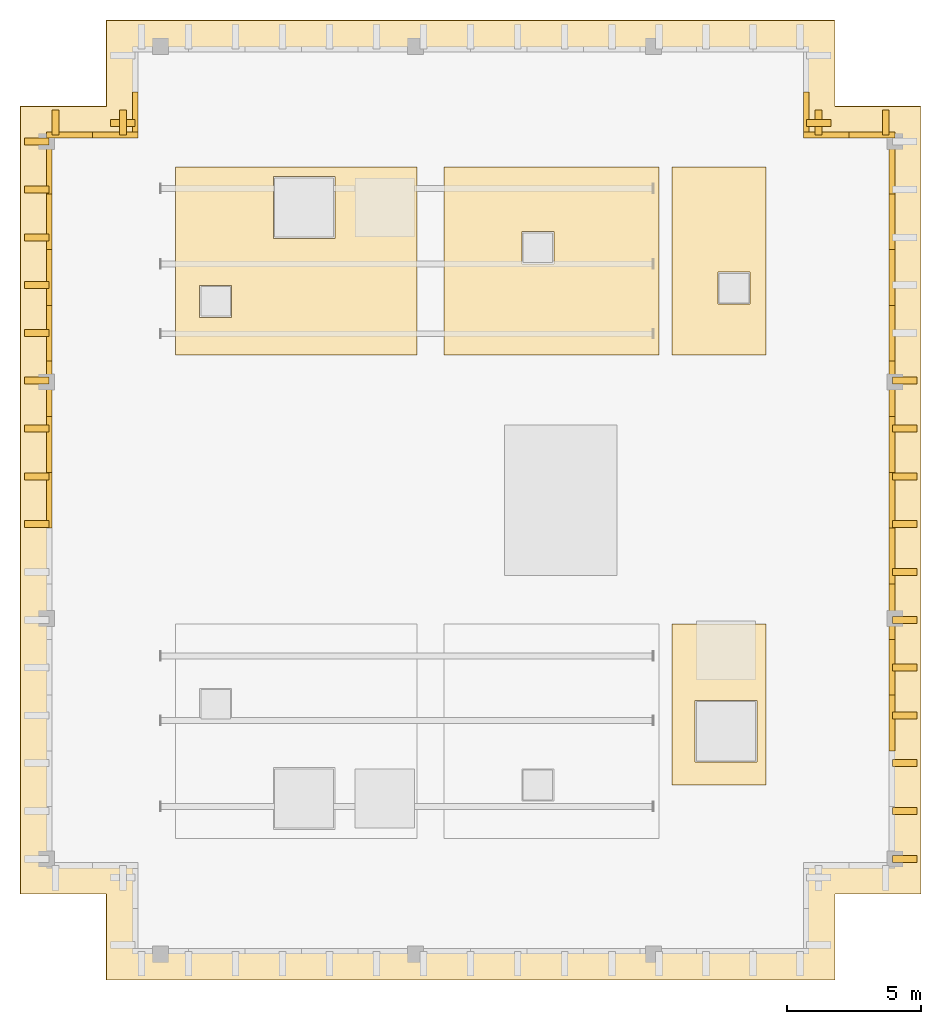
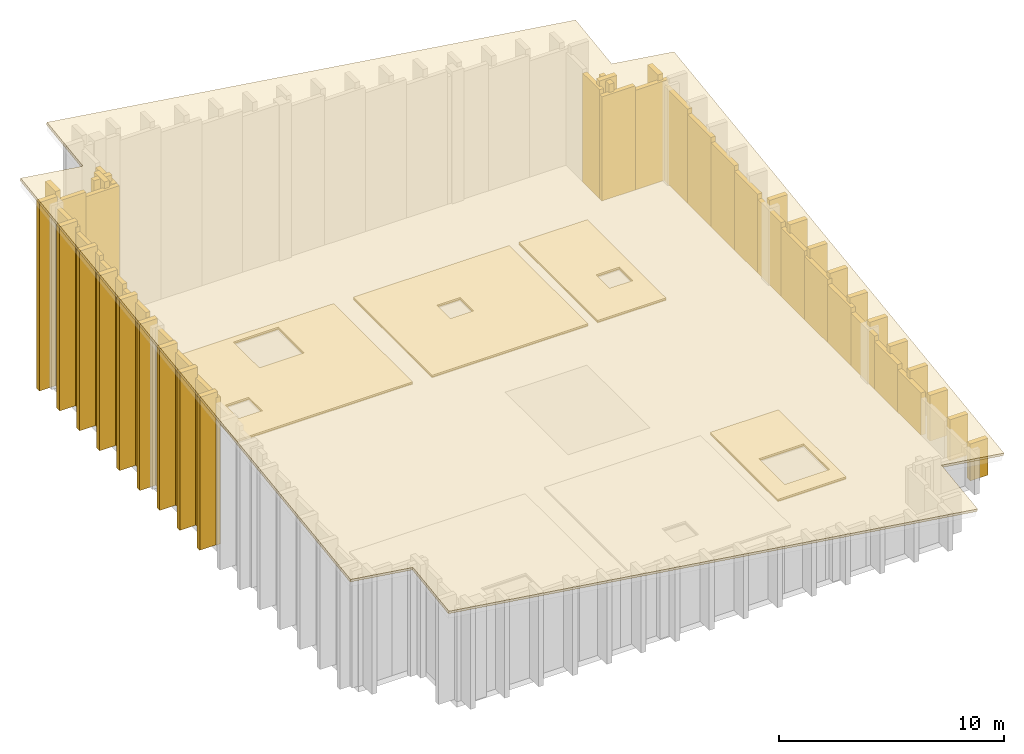
# One storey, part 4 of 5: 59 coverings.
"""IFC4 building model written with IfcOpenShell, lengths in metres."""

from ifc_helpers import new_model, si_unit, direction, frame, origin, place, context, subcontext, project, spatial, polyline, outline, extrude, material, layer, layer_set, type_object, element, save


model = new_model("IFC4")

# Units and contexts
model_context = context("Model", 3, precision=1e-05, world=origin(), true_north=direction((0.0, 1.0)))
body_context = subcontext(model_context, "Body", "Model", "MODEL_VIEW")
ifc_project = project(units=[si_unit("LENGTHUNIT", "METRE"), si_unit("AREAUNIT", "SQUARE_METRE"), si_unit("VOLUMEUNIT", "CUBIC_METRE"), si_unit("PLANEANGLEUNIT", "RADIAN"), si_unit("MASSUNIT", "GRAM", prefix="KILO")], contexts=[model_context])

# Site, building, storey
site_placement = place(None, origin())
site = spatial("IfcSite", under=ifc_project, at=site_placement, CompositionType="ELEMENT")
building_placement = place(site_placement, origin())
building = spatial("IfcBuilding", under=site, at=building_placement, Name="Kundavana Baori Tower", CompositionType="ELEMENT")
storey_placement = place(building_placement, frame((0.0, 0.0, 368.39990234375)))
storey = spatial("IfcBuildingStorey", under=building, at=storey_placement, Name="L89", CompositionType="ELEMENT", Elevation=368.39990234375)

# Coverings
ifc_material_1 = material(Name="Red-Buff Dholpur Sandstone Cladding on Concrete C40/50", Category="masonry")
ifc_layer_1 = layer(ifc_material_1, 0.050048828125, Name="COV-EXT-CLAD")
ifc_layer_set_1 = layer_set([ifc_layer_1], Name="Red-Buff Dholpur Sandstone Cladding on Concrete C40/50")
covering_type_1 = type_object("IfcCoveringType", Name="COV-EXT-CLAD", PredefinedType="CLADDING", material=ifc_layer_set_1)
covering_1_placement = place(storey_placement, origin())
element("IfcCovering", 1, at=covering_1_placement, inside=storey, type_object=covering_type_1, Name="L89 Sloped Sail Crown Stone Cladding Drum 04-03", PredefinedType="CLADDING", context=body_context, shape_type="SweptSolid", body=[
    extrude(outline(polyline([(42.580078125, 19.26806640625), (42.800048828125, 19.26806640625), (42.800048828125, 21.341064453125), (42.580078125, 21.341064453125), (42.580078125, 19.26806640625)])), origin(), (0.0, 0.0, 1.0), 2.2939453125),
])
covering_2_placement = place(storey_placement, origin())
element("IfcCovering", 2, at=covering_2_placement, inside=storey, type_object=covering_type_1, Name="L89 Sloped Sail Crown Stone Cladding Drum 04-04", PredefinedType="CLADDING", context=body_context, shape_type="SweptSolid", body=[
    extrude(outline(polyline([(42.580078125, 21.341064453125), (42.800048828125, 21.341064453125), (42.800048828125, 23.4150390625), (42.580078125, 23.4150390625), (42.580078125, 21.341064453125)])), origin(), (0.0, 0.0, 1.0), 2.576416015625),
])
covering_3_placement = place(storey_placement, origin())
element("IfcCovering", 3, at=covering_3_placement, inside=storey, type_object=covering_type_1, Name="L89 Sloped Sail Crown Stone Cladding Drum 04-05", PredefinedType="CLADDING", context=body_context, shape_type="SweptSolid", body=[
    extrude(outline(polyline([(42.580078125, 23.4150390625), (42.800048828125, 23.4150390625), (42.800048828125, 25.489013671875), (42.580078125, 25.489013671875), (42.580078125, 23.4150390625)])), origin(), (0.0, 0.0, 1.0), 2.8583984375),
])
covering_4_placement = place(storey_placement, origin())
element("IfcCovering", 4, at=covering_4_placement, inside=storey, type_object=covering_type_1, Name="L89 Sloped Sail Crown Stone Cladding Drum 04-06", PredefinedType="CLADDING", context=body_context, shape_type="SweptSolid", body=[
    extrude(outline(polyline([(42.580078125, 25.489013671875), (42.800048828125, 25.489013671875), (42.800048828125, 27.56298828125), (42.580078125, 27.56298828125), (42.580078125, 25.489013671875)])), origin(), (0.0, 0.0, 1.0), 3.140869140625),
])
covering_5_placement = place(storey_placement, origin())
element("IfcCovering", 5, at=covering_5_placement, inside=storey, type_object=covering_type_1, Name="L89 Sloped Sail Crown Stone Cladding Drum 04-07", PredefinedType="CLADDING", context=body_context, shape_type="SweptSolid", body=[
    extrude(outline(polyline([(42.580078125, 27.56298828125), (42.800048828125, 27.56298828125), (42.800048828125, 29.636962890625), (42.580078125, 29.636962890625), (42.580078125, 27.56298828125)])), origin(), (0.0, 0.0, 1.0), 3.423095703125),
])
covering_6_placement = place(storey_placement, origin())
element("IfcCovering", 6, at=covering_6_placement, inside=storey, type_object=covering_type_1, Name="L89 Sloped Sail Crown Stone Cladding Drum 04-08", PredefinedType="CLADDING", context=body_context, shape_type="SweptSolid", body=[
    extrude(outline(polyline([(42.580078125, 29.636962890625), (42.800048828125, 29.636962890625), (42.800048828125, 31.7109375), (42.580078125, 31.7109375), (42.580078125, 29.636962890625)])), origin(), (0.0, 0.0, 1.0), 3.705078125),
])
covering_7_placement = place(storey_placement, origin())
element("IfcCovering", 7, at=covering_7_placement, inside=storey, type_object=covering_type_1, Name="L89 Sloped Sail Crown Stone Cladding Drum 04-09", PredefinedType="CLADDING", context=body_context, shape_type="SweptSolid", body=[
    extrude(outline(polyline([(42.580078125, 31.7109375), (42.800048828125, 31.7109375), (42.800048828125, 33.784912109375), (42.580078125, 33.784912109375), (42.580078125, 31.7109375)])), origin(), (0.0, 0.0, 1.0), 3.987548828125),
])
covering_8_placement = place(storey_placement, origin())
element("IfcCovering", 8, at=covering_8_placement, inside=storey, type_object=covering_type_1, Name="L89 Sloped Sail Crown Stone Cladding Drum 04-10", PredefinedType="CLADDING", context=body_context, shape_type="SweptSolid", body=[
    extrude(outline(polyline([(42.580078125, 33.784912109375), (42.800048828125, 33.784912109375), (42.800048828125, 35.85791015625), (42.580078125, 35.85791015625), (42.580078125, 33.784912109375)])), origin(), (0.0, 0.0, 1.0), 4.269775390625),
])
covering_9_placement = place(storey_placement, origin())
element("IfcCovering", 9, at=covering_9_placement, inside=storey, type_object=covering_type_1, Name="L89 Sloped Sail Crown Stone Cladding Drum 04-11", PredefinedType="CLADDING", context=body_context, shape_type="SweptSolid", body=[
    extrude(outline(polyline([(42.580078125, 35.85791015625), (42.800048828125, 35.85791015625), (42.800048828125, 37.931884765625), (42.580078125, 37.931884765625), (42.580078125, 35.85791015625)])), origin(), (0.0, 0.0, 1.0), 4.552001953125),
])
covering_10_placement = place(storey_placement, origin())
element("IfcCovering", 10, at=covering_10_placement, inside=storey, type_object=covering_type_1, Name="L89 Sloped Sail Crown Stone Cladding Drum 04-12", PredefinedType="CLADDING", context=body_context, shape_type="SweptSolid", body=[
    extrude(outline(polyline([(42.580078125, 37.931884765625), (42.800048828125, 37.931884765625), (42.800048828125, 40.006103515625), (42.580078125, 40.006103515625), (42.580078125, 37.931884765625)])), origin(), (0.0, 0.0, 1.0), 4.834228515625),
])
covering_11_placement = place(storey_placement, origin())
element("IfcCovering", 11, at=covering_11_placement, inside=storey, type_object=covering_type_1, Name="L89 Sloped Sail Crown Stone Cladding Drum 04-13", PredefinedType="CLADDING", context=body_context, shape_type="SweptSolid", body=[
    extrude(outline(polyline([(42.580078125, 40.006103515625), (42.800048828125, 40.006103515625), (42.800048828125, 42.080078125), (42.580078125, 42.080078125), (42.580078125, 40.006103515625)])), origin(), (0.0, 0.0, 1.0), 5.116455078125),
])
covering_12_placement = place(storey_placement, origin())
element("IfcCovering", 12, at=covering_12_placement, inside=storey, type_object=covering_type_1, Name="L89 Sloped Sail Crown Stone Cladding Drum 05-01", PredefinedType="CLADDING", context=body_context, shape_type="SweptSolid", body=[
    extrude(outline(polyline([(41.090087890625, 42.080078125), (42.800048828125, 42.080078125), (42.800048828125, 42.300048828125), (41.090087890625, 42.300048828125), (41.090087890625, 42.080078125)])), origin(), (0.0, 0.0, 1.0), 5.397705078125),
])
covering_13_placement = place(storey_placement, origin())
element("IfcCovering", 13, at=covering_13_placement, inside=storey, type_object=covering_type_1, Name="L89 Sloped Sail Crown Stone Cladding Drum 05-02", PredefinedType="CLADDING", context=body_context, shape_type="SweptSolid", body=[
    extrude(outline(polyline([(39.3798828125, 42.080078125), (41.090087890625, 42.080078125), (41.090087890625, 42.300048828125), (39.3798828125, 42.300048828125), (39.3798828125, 42.080078125)])), origin(), (0.0, 0.0, 1.0), 5.646484375),
])
covering_14_placement = place(storey_placement, origin())
element("IfcCovering", 14, at=covering_14_placement, inside=storey, type_object=covering_type_1, Name="L89 Sloped Sail Crown Stone Cladding Drum 06-01", PredefinedType="CLADDING", context=body_context, shape_type="SweptSolid", body=[
    extrude(outline(polyline([(39.3798828125, 42.300048828125), (39.60009765625, 42.300048828125), (39.60009765625, 43.7900390625), (39.3798828125, 43.7900390625), (39.3798828125, 42.300048828125)])), origin(), (0.0, 0.0, 1.0), 5.894287109375),
])
covering_15_placement = place(storey_placement, origin())
element("IfcCovering", 15, at=covering_15_placement, inside=storey, type_object=covering_type_1, Name="L89 Sloped Sail Crown Stone Cladding Drum 08-02", PredefinedType="CLADDING", context=body_context, shape_type="SweptSolid", body=[
    extrude(outline(polyline([(14.39990234375, 42.300048828125), (14.6201171875, 42.300048828125), (14.6201171875, 43.7900390625), (14.39990234375, 43.7900390625), (14.39990234375, 42.300048828125)])), origin(), (0.0, 0.0, 1.0), 9.53076171875),
])
covering_16_placement = place(storey_placement, origin())
element("IfcCovering", 16, at=covering_16_placement, inside=storey, type_object=covering_type_1, Name="L89 Sloped Sail Crown Stone Cladding Drum 09-01", PredefinedType="CLADDING", context=body_context, shape_type="SweptSolid", body=[
    extrude(outline(polyline([(12.909912109375, 42.080078125), (14.6201171875, 42.080078125), (14.6201171875, 42.300048828125), (12.909912109375, 42.300048828125), (12.909912109375, 42.080078125)])), origin(), (0.0, 0.0, 1.0), 9.499755859375),
])
covering_17_placement = place(storey_placement, origin())
element("IfcCovering", 17, at=covering_17_placement, inside=storey, type_object=covering_type_1, Name="L89 Sloped Sail Crown Stone Cladding Drum 09-02", PredefinedType="CLADDING", context=body_context, shape_type="SweptSolid", body=[
    extrude(outline(polyline([(11.199951171875, 42.080078125), (12.909912109375, 42.080078125), (12.909912109375, 42.300048828125), (11.199951171875, 42.300048828125), (11.199951171875, 42.080078125)])), origin(), (0.0, 0.0, 1.0), 9.748779296875),
])
covering_18_placement = place(storey_placement, origin())
element("IfcCovering", 18, at=covering_18_placement, inside=storey, type_object=covering_type_1, Name="L89 Sloped Sail Crown Stone Cladding Drum 10-01", PredefinedType="CLADDING", context=body_context, shape_type="SweptSolid", body=[
    extrude(outline(polyline([(11.199951171875, 40.006103515625), (11.419921875, 40.006103515625), (11.419921875, 42.080078125), (11.199951171875, 42.080078125), (11.199951171875, 40.006103515625)])), origin(), (0.0, 0.0, 1.0), 9.684326171875),
])
covering_19_placement = place(storey_placement, origin())
element("IfcCovering", 19, at=covering_19_placement, inside=storey, type_object=covering_type_1, Name="L89 Sloped Sail Crown Stone Cladding Drum 10-02", PredefinedType="CLADDING", context=body_context, shape_type="SweptSolid", body=[
    extrude(outline(polyline([(11.199951171875, 37.931884765625), (11.419921875, 37.931884765625), (11.419921875, 40.006103515625), (11.199951171875, 40.006103515625), (11.199951171875, 37.931884765625)])), origin(), (0.0, 0.0, 1.0), 9.402099609375),
])
covering_20_placement = place(storey_placement, origin())
element("IfcCovering", 20, at=covering_20_placement, inside=storey, type_object=covering_type_1, Name="L89 Sloped Sail Crown Stone Cladding Drum 10-03", PredefinedType="CLADDING", context=body_context, shape_type="SweptSolid", body=[
    extrude(outline(polyline([(11.199951171875, 35.85791015625), (11.419921875, 35.85791015625), (11.419921875, 37.931884765625), (11.199951171875, 37.931884765625), (11.199951171875, 35.85791015625)])), origin(), (0.0, 0.0, 1.0), 9.119873046875),
])
covering_21_placement = place(storey_placement, origin())
element("IfcCovering", 21, at=covering_21_placement, inside=storey, type_object=covering_type_1, Name="L89 Sloped Sail Crown Stone Cladding Drum 10-04", PredefinedType="CLADDING", context=body_context, shape_type="SweptSolid", body=[
    extrude(outline(polyline([(11.199951171875, 33.784912109375), (11.419921875, 33.784912109375), (11.419921875, 35.85791015625), (11.199951171875, 35.85791015625), (11.199951171875, 33.784912109375)])), origin(), (0.0, 0.0, 1.0), 8.837646484375),
])
covering_22_placement = place(storey_placement, origin())
element("IfcCovering", 22, at=covering_22_placement, inside=storey, type_object=covering_type_1, Name="L89 Sloped Sail Crown Stone Cladding Drum 10-05", PredefinedType="CLADDING", context=body_context, shape_type="SweptSolid", body=[
    extrude(outline(polyline([(11.199951171875, 31.7109375), (11.419921875, 31.7109375), (11.419921875, 33.784912109375), (11.199951171875, 33.784912109375), (11.199951171875, 31.7109375)])), origin(), (0.0, 0.0, 1.0), 8.555419921875),
])
covering_23_placement = place(storey_placement, origin())
element("IfcCovering", 23, at=covering_23_placement, inside=storey, type_object=covering_type_1, Name="L89 Sloped Sail Crown Stone Cladding Drum 10-06", PredefinedType="CLADDING", context=body_context, shape_type="SweptSolid", body=[
    extrude(outline(polyline([(11.199951171875, 29.636962890625), (11.419921875, 29.636962890625), (11.419921875, 31.7109375), (11.199951171875, 31.7109375), (11.199951171875, 29.636962890625)])), origin(), (0.0, 0.0, 1.0), 8.273193359375),
])
covering_24_placement = place(storey_placement, origin())
element("IfcCovering", 24, at=covering_24_placement, inside=storey, type_object=covering_type_1, Name="L89 Sloped Sail Crown Stone Cladding Drum 10-07", PredefinedType="CLADDING", context=body_context, shape_type="SweptSolid", body=[
    extrude(outline(polyline([(11.199951171875, 27.56298828125), (11.419921875, 27.56298828125), (11.419921875, 29.636962890625), (11.199951171875, 29.636962890625), (11.199951171875, 27.56298828125)])), origin(), (0.0, 0.0, 1.0), 7.990966796875),
])
ifc_material_2 = material(Name="Elastomeric APP Waterproofing Roofing Membrane")
ifc_layer_2 = layer(ifc_material_2, 0.044921875, Name="COV-ROOF-MEMB")
ifc_layer_set_2 = layer_set([ifc_layer_2], Name="Elastomeric APP Waterproofing Roofing Membrane")
covering_type_2 = type_object("IfcCoveringType", Name="COV-ROOF-MEMB", PredefinedType="ROOFING", material=ifc_layer_set_2)
covering_25_placement = place(storey_placement, origin())
element("IfcCovering", 25, at=covering_25_placement, inside=storey, type_object=covering_type_2, Name="L89 Crown Roof Waterproofing Membrane 2", PredefinedType="ROOFING", context=body_context, shape_type="SweptSolid", body=[
    extrude(outline(polyline([(16.0, 34.0), (25.0, 34.0), (25.0, 41.0), (16.0, 41.0), (16.0, 34.0)]), holes=[polyline([(19.64990234375, 38.35009765625), (21.949951171875, 38.35009765625), (21.949951171875, 40.64990234375), (19.64990234375, 40.64990234375), (19.64990234375, 38.35009765625)]), polyline([(16.89990234375, 35.39990234375), (18.10009765625, 35.39990234375), (18.10009765625, 36.60009765625), (16.89990234375, 36.60009765625), (16.89990234375, 35.39990234375)])]), origin(), (0.0, 0.0, 1.0), 0.045166015625),
])
covering_26_placement = place(storey_placement, origin())
element("IfcCovering", 26, at=covering_26_placement, inside=storey, type_object=covering_type_2, Name="L89 Crown Roof Waterproofing Membrane 4", PredefinedType="ROOFING", context=body_context, shape_type="SweptSolid", body=[
    extrude(outline(polyline([(26.0, 34.0), (34.0, 34.0), (34.0, 41.0), (26.0, 41.0), (26.0, 34.0)]), holes=[polyline([(28.89990234375, 37.39990234375), (30.10009765625, 37.39990234375), (30.10009765625, 38.60009765625), (28.89990234375, 38.60009765625), (28.89990234375, 37.39990234375)])]), origin(), (0.0, 0.0, 1.0), 0.045166015625),
])
covering_27_placement = place(storey_placement, origin())
element("IfcCovering", 27, at=covering_27_placement, inside=storey, type_object=covering_type_2, Name="L89 Crown Roof Waterproofing Membrane 5", PredefinedType="ROOFING", context=body_context, shape_type="SweptSolid", body=[
    extrude(outline(polyline([(34.5, 18.0), (38.0, 18.0), (38.0, 24.0), (34.5, 24.0), (34.5, 18.0)]), holes=[polyline([(35.35009765625, 18.85009765625), (37.64990234375, 18.85009765625), (37.64990234375, 21.14990234375), (35.35009765625, 21.14990234375), (35.35009765625, 18.85009765625)])]), origin(), (0.0, 0.0, 1.0), 0.045166015625),
])
covering_28_placement = place(storey_placement, origin())
element("IfcCovering", 28, at=covering_28_placement, inside=storey, type_object=covering_type_2, Name="L89 Crown Roof Waterproofing Membrane 6", PredefinedType="ROOFING", context=body_context, shape_type="SweptSolid", body=[
    extrude(outline(polyline([(34.5, 34.0), (38.0, 34.0), (38.0, 41.0), (34.5, 41.0), (34.5, 34.0)]), holes=[polyline([(36.199951171875, 35.89990234375), (37.39990234375, 35.89990234375), (37.39990234375, 37.10009765625), (36.199951171875, 37.10009765625), (36.199951171875, 35.89990234375)])]), origin(), (0.0, 0.0, 1.0), 0.045166015625),
])
ifc_material_3 = material(Name="Cream-White Makrana Limestone on Concrete C40/50", Category="masonry")
ifc_layer_3 = layer(ifc_material_3, 0.239990234375, Name="COV-SAIL-FIN")
ifc_layer_set_3 = layer_set([ifc_layer_3], Name="Cream-White Makrana Limestone on Concrete C40/50")
covering_type_3 = type_object("IfcCoveringType", Name="COV-SAIL-FIN", PredefinedType="CLADDING", material=ifc_layer_set_3)
covering_29_placement = place(storey_placement, origin())
element("IfcCovering", 29, at=covering_29_placement, inside=storey, type_object=covering_type_3, Name="L89 Climbing Makrana White Limestone Sail Fin 020", PredefinedType="CLADDING", context=body_context, shape_type="SweptSolid", body=[
    extrude(outline(polyline([(42.699951171875, 15.1201171875), (43.6201171875, 15.1201171875), (43.6201171875, 15.3798828125), (42.699951171875, 15.3798828125), (42.699951171875, 15.1201171875)])), origin(), (0.0, 0.0, 1.0), 1.9931640625),
])
covering_30_placement = place(storey_placement, origin())
element("IfcCovering", 30, at=covering_30_placement, inside=storey, type_object=covering_type_3, Name="L89 Climbing Makrana White Limestone Sail Fin 021", PredefinedType="CLADDING", context=body_context, shape_type="SweptSolid", body=[
    extrude(outline(polyline([(42.699951171875, 16.89990234375), (43.6201171875, 16.89990234375), (43.6201171875, 17.159912109375), (42.699951171875, 17.159912109375), (42.699951171875, 16.89990234375)])), origin(), (0.0, 0.0, 1.0), 2.235595703125),
])
covering_31_placement = place(storey_placement, origin())
element("IfcCovering", 31, at=covering_31_placement, inside=storey, type_object=covering_type_3, Name="L89 Climbing Makrana White Limestone Sail Fin 022", PredefinedType="CLADDING", context=body_context, shape_type="SweptSolid", body=[
    extrude(outline(polyline([(42.699951171875, 18.679931640625), (43.6201171875, 18.679931640625), (43.6201171875, 18.93994140625), (42.699951171875, 18.93994140625), (42.699951171875, 18.679931640625)])), origin(), (0.0, 0.0, 1.0), 2.477783203125),
])
covering_32_placement = place(storey_placement, origin())
element("IfcCovering", 32, at=covering_32_placement, inside=storey, type_object=covering_type_3, Name="L89 Climbing Makrana White Limestone Sail Fin 023", PredefinedType="CLADDING", context=body_context, shape_type="SweptSolid", body=[
    extrude(outline(polyline([(42.699951171875, 20.4599609375), (43.6201171875, 20.4599609375), (43.6201171875, 20.719970703125), (42.699951171875, 20.719970703125), (42.699951171875, 20.4599609375)])), origin(), (0.0, 0.0, 1.0), 2.719970703125),
])
covering_33_placement = place(storey_placement, origin())
element("IfcCovering", 33, at=covering_33_placement, inside=storey, type_object=covering_type_3, Name="L89 Climbing Makrana White Limestone Sail Fin 024", PredefinedType="CLADDING", context=body_context, shape_type="SweptSolid", body=[
    extrude(outline(polyline([(42.699951171875, 22.239990234375), (43.6201171875, 22.239990234375), (43.6201171875, 22.5), (42.699951171875, 22.5), (42.699951171875, 22.239990234375)])), origin(), (0.0, 0.0, 1.0), 2.962158203125),
])
covering_34_placement = place(storey_placement, origin())
element("IfcCovering", 34, at=covering_34_placement, inside=storey, type_object=covering_type_3, Name="L89 Climbing Makrana White Limestone Sail Fin 025", PredefinedType="CLADDING", context=body_context, shape_type="SweptSolid", body=[
    extrude(outline(polyline([(42.699951171875, 24.02001953125), (43.6201171875, 24.02001953125), (43.6201171875, 24.280029296875), (42.699951171875, 24.280029296875), (42.699951171875, 24.02001953125)])), origin(), (0.0, 0.0, 1.0), 3.20458984375),
])
covering_35_placement = place(storey_placement, origin())
element("IfcCovering", 35, at=covering_35_placement, inside=storey, type_object=covering_type_3, Name="L89 Climbing Makrana White Limestone Sail Fin 026", PredefinedType="CLADDING", context=body_context, shape_type="SweptSolid", body=[
    extrude(outline(polyline([(42.699951171875, 25.800048828125), (43.6201171875, 25.800048828125), (43.6201171875, 26.06005859375), (42.699951171875, 26.06005859375), (42.699951171875, 25.800048828125)])), origin(), (0.0, 0.0, 1.0), 3.44677734375),
])
covering_36_placement = place(storey_placement, origin())
element("IfcCovering", 36, at=covering_36_placement, inside=storey, type_object=covering_type_3, Name="L89 Climbing Makrana White Limestone Sail Fin 027", PredefinedType="CLADDING", context=body_context, shape_type="SweptSolid", body=[
    extrude(outline(polyline([(42.699951171875, 27.580078125), (43.6201171875, 27.580078125), (43.6201171875, 27.840087890625), (42.699951171875, 27.840087890625), (42.699951171875, 27.580078125)])), origin(), (0.0, 0.0, 1.0), 3.68896484375),
])
covering_37_placement = place(storey_placement, origin())
element("IfcCovering", 37, at=covering_37_placement, inside=storey, type_object=covering_type_3, Name="L89 Climbing Makrana White Limestone Sail Fin 028", PredefinedType="CLADDING", context=body_context, shape_type="SweptSolid", body=[
    extrude(outline(polyline([(42.699951171875, 29.360107421875), (43.6201171875, 29.360107421875), (43.6201171875, 29.6201171875), (42.699951171875, 29.6201171875), (42.699951171875, 29.360107421875)])), origin(), (0.0, 0.0, 1.0), 3.93115234375),
])
covering_38_placement = place(storey_placement, origin())
element("IfcCovering", 38, at=covering_38_placement, inside=storey, type_object=covering_type_3, Name="L89 Climbing Makrana White Limestone Sail Fin 029", PredefinedType="CLADDING", context=body_context, shape_type="SweptSolid", body=[
    extrude(outline(polyline([(42.699951171875, 31.139892578125), (43.6201171875, 31.139892578125), (43.6201171875, 31.39990234375), (42.699951171875, 31.39990234375), (42.699951171875, 31.139892578125)])), origin(), (0.0, 0.0, 1.0), 4.173583984375),
])
covering_39_placement = place(storey_placement, origin())
element("IfcCovering", 39, at=covering_39_placement, inside=storey, type_object=covering_type_3, Name="L89 Climbing Makrana White Limestone Sail Fin 030", PredefinedType="CLADDING", context=body_context, shape_type="SweptSolid", body=[
    extrude(outline(polyline([(42.699951171875, 32.919921875), (43.6201171875, 32.919921875), (43.6201171875, 33.179931640625), (42.699951171875, 33.179931640625), (42.699951171875, 32.919921875)])), origin(), (0.0, 0.0, 1.0), 4.415771484375),
])
covering_40_placement = place(storey_placement, origin())
element("IfcCovering", 40, at=covering_40_placement, inside=storey, type_object=covering_type_3, Name="L89 Climbing Makrana White Limestone Sail Fin 036", PredefinedType="CLADDING", context=body_context, shape_type="SweptSolid", body=[
    extrude(outline(polyline([(42.320068359375, 42.199951171875), (42.580078125, 42.199951171875), (42.580078125, 43.1201171875), (42.320068359375, 43.1201171875), (42.320068359375, 42.199951171875)])), origin(), (0.0, 0.0, 1.0), 5.7255859375),
])
covering_41_placement = place(storey_placement, origin())
element("IfcCovering", 41, at=covering_41_placement, inside=storey, type_object=covering_type_3, Name="L89 Climbing Makrana White Limestone Sail Fin 037", PredefinedType="CLADDING", context=body_context, shape_type="SweptSolid", body=[
    extrude(outline(polyline([(39.820068359375, 42.199951171875), (40.080078125, 42.199951171875), (40.080078125, 43.1201171875), (39.820068359375, 43.1201171875), (39.820068359375, 42.199951171875)])), origin(), (0.0, 0.0, 1.0), 6.089599609375),
])
covering_42_placement = place(storey_placement, origin())
element("IfcCovering", 42, at=covering_42_placement, inside=storey, type_object=covering_type_3, Name="L89 Climbing Makrana White Limestone Sail Fin 038", PredefinedType="CLADDING", context=body_context, shape_type="SweptSolid", body=[
    extrude(outline(polyline([(39.5, 42.52001953125), (40.419921875, 42.52001953125), (40.419921875, 42.780029296875), (39.5, 42.780029296875), (39.5, 42.52001953125)])), origin(), (0.0, 0.0, 1.0), 6.18798828125),
])
covering_43_placement = place(storey_placement, origin())
element("IfcCovering", 43, at=covering_43_placement, inside=storey, type_object=covering_type_3, Name="L89 Climbing Makrana White Limestone Sail Fin 056", PredefinedType="CLADDING", context=body_context, shape_type="SweptSolid", body=[
    extrude(outline(polyline([(13.580078125, 42.52001953125), (14.5, 42.52001953125), (14.5, 42.780029296875), (13.580078125, 42.780029296875), (13.580078125, 42.52001953125)])), origin(), (0.0, 0.0, 1.0), 9.8564453125),
])
covering_44_placement = place(storey_placement, origin())
element("IfcCovering", 44, at=covering_44_placement, inside=storey, type_object=covering_type_3, Name="L89 Climbing Makrana White Limestone Sail Fin 057", PredefinedType="CLADDING", context=body_context, shape_type="SweptSolid", body=[
    extrude(outline(polyline([(13.919921875, 42.199951171875), (14.179931640625, 42.199951171875), (14.179931640625, 43.1201171875), (13.919921875, 43.1201171875), (13.919921875, 42.199951171875)])), origin(), (0.0, 0.0, 1.0), 9.859619140625),
])
covering_45_placement = place(storey_placement, origin())
element("IfcCovering", 45, at=covering_45_placement, inside=storey, type_object=covering_type_3, Name="L89 Climbing Makrana White Limestone Sail Fin 058", PredefinedType="CLADDING", context=body_context, shape_type="SweptSolid", body=[
    extrude(outline(polyline([(11.419921875, 42.199951171875), (11.679931640625, 42.199951171875), (11.679931640625, 43.1201171875), (11.419921875, 43.1201171875), (11.419921875, 42.199951171875)])), origin(), (0.0, 0.0, 1.0), 10.2236328125),
])
covering_46_placement = place(storey_placement, origin())
element("IfcCovering", 46, at=covering_46_placement, inside=storey, type_object=covering_type_3, Name="L89 Climbing Makrana White Limestone Sail Fin 059", PredefinedType="CLADDING", context=body_context, shape_type="SweptSolid", body=[
    extrude(outline(polyline([(10.3798828125, 41.820068359375), (11.300048828125, 41.820068359375), (11.300048828125, 42.080078125), (10.3798828125, 42.080078125), (10.3798828125, 41.820068359375)])), origin(), (0.0, 0.0, 1.0), 10.22705078125),
])
covering_47_placement = place(storey_placement, origin())
element("IfcCovering", 47, at=covering_47_placement, inside=storey, type_object=covering_type_3, Name="L89 Climbing Makrana White Limestone Sail Fin 060", PredefinedType="CLADDING", context=body_context, shape_type="SweptSolid", body=[
    extrude(outline(polyline([(10.3798828125, 40.0400390625), (11.300048828125, 40.0400390625), (11.300048828125, 40.300048828125), (10.3798828125, 40.300048828125), (10.3798828125, 40.0400390625)])), origin(), (0.0, 0.0, 1.0), 9.984619140625),
])
covering_48_placement = place(storey_placement, origin())
element("IfcCovering", 48, at=covering_48_placement, inside=storey, type_object=covering_type_3, Name="L89 Climbing Makrana White Limestone Sail Fin 061", PredefinedType="CLADDING", context=body_context, shape_type="SweptSolid", body=[
    extrude(outline(polyline([(10.3798828125, 38.260009765625), (11.300048828125, 38.260009765625), (11.300048828125, 38.52001953125), (10.3798828125, 38.52001953125), (10.3798828125, 38.260009765625)])), origin(), (0.0, 0.0, 1.0), 9.742431640625),
])
covering_49_placement = place(storey_placement, origin())
element("IfcCovering", 49, at=covering_49_placement, inside=storey, type_object=covering_type_3, Name="L89 Climbing Makrana White Limestone Sail Fin 062", PredefinedType="CLADDING", context=body_context, shape_type="SweptSolid", body=[
    extrude(outline(polyline([(10.3798828125, 36.47998046875), (11.300048828125, 36.47998046875), (11.300048828125, 36.739990234375), (10.3798828125, 36.739990234375), (10.3798828125, 36.47998046875)])), origin(), (0.0, 0.0, 1.0), 9.500244140625),
])
covering_50_placement = place(storey_placement, origin())
element("IfcCovering", 50, at=covering_50_placement, inside=storey, type_object=covering_type_3, Name="L89 Climbing Makrana White Limestone Sail Fin 063", PredefinedType="CLADDING", context=body_context, shape_type="SweptSolid", body=[
    extrude(outline(polyline([(10.3798828125, 34.699951171875), (11.300048828125, 34.699951171875), (11.300048828125, 34.9599609375), (10.3798828125, 34.9599609375), (10.3798828125, 34.699951171875)])), origin(), (0.0, 0.0, 1.0), 9.258056640625),
])
covering_51_placement = place(storey_placement, origin())
element("IfcCovering", 51, at=covering_51_placement, inside=storey, type_object=covering_type_3, Name="L89 Climbing Makrana White Limestone Sail Fin 064", PredefinedType="CLADDING", context=body_context, shape_type="SweptSolid", body=[
    extrude(outline(polyline([(10.3798828125, 32.919921875), (11.300048828125, 32.919921875), (11.300048828125, 33.179931640625), (10.3798828125, 33.179931640625), (10.3798828125, 32.919921875)])), origin(), (0.0, 0.0, 1.0), 9.015625),
])
covering_52_placement = place(storey_placement, origin())
element("IfcCovering", 52, at=covering_52_placement, inside=storey, type_object=covering_type_3, Name="L89 Climbing Makrana White Limestone Sail Fin 065", PredefinedType="CLADDING", context=body_context, shape_type="SweptSolid", body=[
    extrude(outline(polyline([(10.3798828125, 31.139892578125), (11.300048828125, 31.139892578125), (11.300048828125, 31.39990234375), (10.3798828125, 31.39990234375), (10.3798828125, 31.139892578125)])), origin(), (0.0, 0.0, 1.0), 8.7734375),
])
covering_53_placement = place(storey_placement, origin())
element("IfcCovering", 53, at=covering_53_placement, inside=storey, type_object=covering_type_3, Name="L89 Climbing Makrana White Limestone Sail Fin 066", PredefinedType="CLADDING", context=body_context, shape_type="SweptSolid", body=[
    extrude(outline(polyline([(10.3798828125, 29.360107421875), (11.300048828125, 29.360107421875), (11.300048828125, 29.6201171875), (10.3798828125, 29.6201171875), (10.3798828125, 29.360107421875)])), origin(), (0.0, 0.0, 1.0), 8.53125),
])
covering_54_placement = place(storey_placement, origin())
element("IfcCovering", 54, at=covering_54_placement, inside=storey, type_object=covering_type_3, Name="L89 Climbing Makrana White Limestone Sail Fin 067", PredefinedType="CLADDING", context=body_context, shape_type="SweptSolid", body=[
    extrude(outline(polyline([(10.3798828125, 27.580078125), (11.300048828125, 27.580078125), (11.300048828125, 27.840087890625), (10.3798828125, 27.840087890625), (10.3798828125, 27.580078125)])), origin(), (0.0, 0.0, 1.0), 8.2890625),
])
ifc_material_4 = material(Name="Cream-White Makrana Limestone on Concrete C40/50", Category="masonry")
ifc_layer_4 = layer(ifc_material_4, 0.139892578125, Name="COV-SAIL-ROOF")
ifc_layer_set_4 = layer_set([ifc_layer_4], Name="Cream-White Makrana Limestone on Concrete C40/50")
covering_type_4 = type_object("IfcCoveringType", Name="COV-SAIL-ROOF", PredefinedType="ROOFING", material=ifc_layer_set_4)
covering_55_placement = place(storey_placement, frame((13.43994140625, 10.739990234375, 5.83349609375), z_axis=(0.142763087941, -0.133468462518, 0.980716508597), x_axis=(0.989570121426, -5.60959e-07, -0.14405198638)))
element("IfcCovering", 55, at=covering_55_placement, inside=storey, type_object=covering_type_4, Name="L89 Sloped Makrana White Limestone Sail Closing Roof Cap", PredefinedType="ROOFING", context=body_context, shape_type="SweptSolid", body=[
    extrude(outline(polyline([(0.0, 0.0), (27.405974619206557, 0.0), (27.343231431659756, 3.228846833166369), (30.57690984268211, 3.228848291811265), (30.002092207485, 32.813607267538515), (26.76841379646265, 32.81360580889362), (26.70567060891585, 36.042452642059985), (-0.7002688413487212, 36.042420396864046), (-0.6375608227439072, 32.81360580889362), (-3.8712392337662584, 32.813604350248724), (-3.2963864296271654, 3.2288131293255318), (-0.06270801860481409, 3.2288145879704273), (0.0, 0.0)])), origin(), (0.0, 0.0, -1.0), 0.139892578125),
])
ifc_material_5 = material(Name="Elastomeric APP Waterproofing Roofing Membrane")
ifc_layer_5 = layer(ifc_material_5, 0.080078125, Name="COV-TER-INSUL")
ifc_layer_set_5 = layer_set([ifc_layer_5], Name="Elastomeric APP Waterproofing Roofing Membrane")
covering_type_5 = type_object("IfcCoveringType", Name="COV-TER-INSUL", PredefinedType="INSULATION", material=ifc_layer_set_5)
covering_56_placement = place(storey_placement, frame((0.0, 0.0, 0.045166015625)))
element("IfcCovering", 56, at=covering_56_placement, inside=storey, type_object=covering_type_5, Name="L89 Main Roof Thermal Insulation Layer 2", PredefinedType="INSULATION", context=body_context, shape_type="SweptSolid", body=[
    extrude(outline(polyline([(16.0, 34.0), (25.0, 34.0), (25.0, 41.0), (16.0, 41.0), (16.0, 34.0)]), holes=[polyline([(19.64990234375, 38.35009765625), (21.949951171875, 38.35009765625), (21.949951171875, 40.64990234375), (19.64990234375, 40.64990234375), (19.64990234375, 38.35009765625)]), polyline([(16.89990234375, 35.39990234375), (18.10009765625, 35.39990234375), (18.10009765625, 36.60009765625), (16.89990234375, 36.60009765625), (16.89990234375, 35.39990234375)])]), origin(), (0.0, 0.0, 1.0), 0.079833984375),
])
covering_57_placement = place(storey_placement, frame((0.0, 0.0, 0.045166015625)))
element("IfcCovering", 57, at=covering_57_placement, inside=storey, type_object=covering_type_5, Name="L89 Main Roof Thermal Insulation Layer 4", PredefinedType="INSULATION", context=body_context, shape_type="SweptSolid", body=[
    extrude(outline(polyline([(26.0, 34.0), (34.0, 34.0), (34.0, 41.0), (26.0, 41.0), (26.0, 34.0)]), holes=[polyline([(28.89990234375, 37.39990234375), (30.10009765625, 37.39990234375), (30.10009765625, 38.60009765625), (28.89990234375, 38.60009765625), (28.89990234375, 37.39990234375)])]), origin(), (0.0, 0.0, 1.0), 0.079833984375),
])
covering_58_placement = place(storey_placement, frame((0.0, 0.0, 0.045166015625)))
element("IfcCovering", 58, at=covering_58_placement, inside=storey, type_object=covering_type_5, Name="L89 Main Roof Thermal Insulation Layer 5", PredefinedType="INSULATION", context=body_context, shape_type="SweptSolid", body=[
    extrude(outline(polyline([(34.5, 18.0), (38.0, 18.0), (38.0, 24.0), (34.5, 24.0), (34.5, 18.0)]), holes=[polyline([(35.35009765625, 18.85009765625), (37.64990234375, 18.85009765625), (37.64990234375, 21.14990234375), (35.35009765625, 21.14990234375), (35.35009765625, 18.85009765625)])]), origin(), (0.0, 0.0, 1.0), 0.079833984375),
])
covering_59_placement = place(storey_placement, frame((0.0, 0.0, 0.045166015625)))
element("IfcCovering", 59, at=covering_59_placement, inside=storey, type_object=covering_type_5, Name="L89 Main Roof Thermal Insulation Layer 6", PredefinedType="INSULATION", context=body_context, shape_type="SweptSolid", body=[
    extrude(outline(polyline([(34.5, 34.0), (38.0, 34.0), (38.0, 41.0), (34.5, 41.0), (34.5, 34.0)]), holes=[polyline([(36.199951171875, 35.89990234375), (37.39990234375, 35.89990234375), (37.39990234375, 37.10009765625), (36.199951171875, 37.10009765625), (36.199951171875, 35.89990234375)])]), origin(), (0.0, 0.0, 1.0), 0.079833984375),
])

save(model, "model.ifc")
